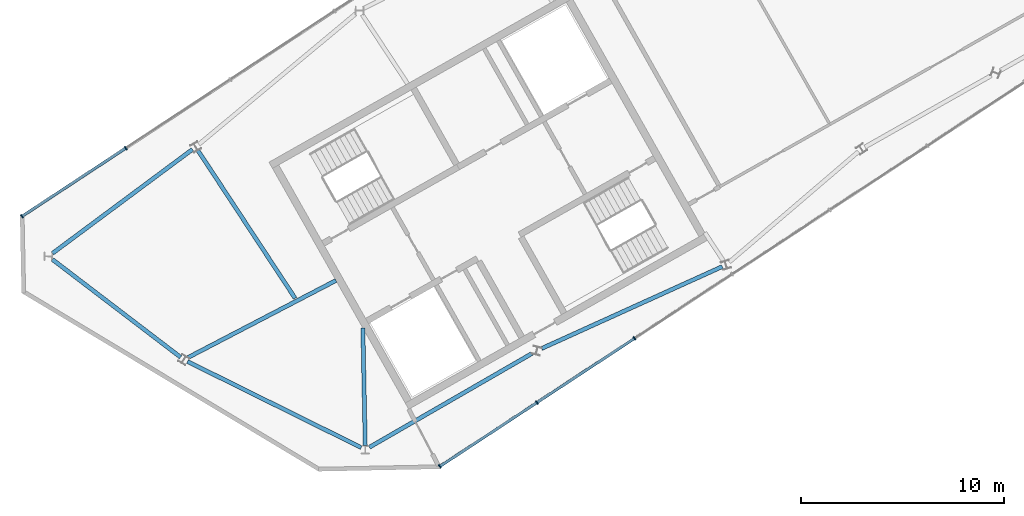
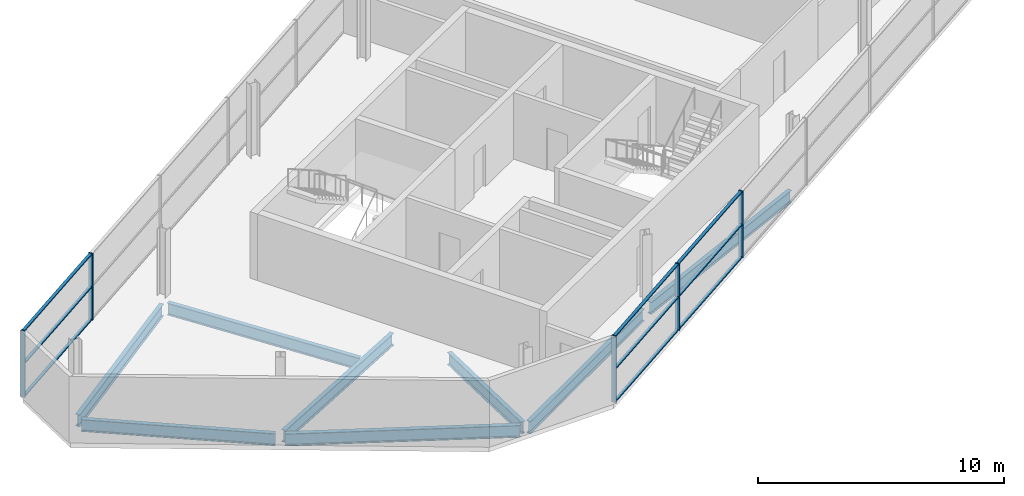
# One storey, part 3 of 8: 14 members, 8 beams, 2 elements without a shape of their own.
"""IFC4 building model written with IfcOpenShell, lengths in metres."""

from ifc_helpers import new_model, si_unit, direction, frame, origin, origin_2d, place, context, subcontext, project, spatial, rectangle, i_section, extrude, material, material_profile, profile_set, type_object, element, aggregate, save


model = new_model("IFC4")

# Units and contexts
model_context = context("Model", 3, precision=1e-05, world=origin(), true_north=direction((0.0, 1.0)))
body_context = subcontext(model_context, "Body", "Model", "MODEL_VIEW")
ifc_project = project(units=[si_unit("LENGTHUNIT", "METRE"), si_unit("AREAUNIT", "SQUARE_METRE"), si_unit("VOLUMEUNIT", "CUBIC_METRE"), si_unit("PLANEANGLEUNIT", "RADIAN"), si_unit("MASSUNIT", "GRAM", prefix="KILO")], contexts=[model_context])

# Site, building, storey
site_placement = place(None, origin())
site = spatial("IfcSite", under=ifc_project, at=site_placement, CompositionType="ELEMENT")
building_placement = place(site_placement, origin())
building = spatial("IfcBuilding", under=site, at=building_placement, Name="Binnacle Exchange Tower", CompositionType="ELEMENT")
storey_placement = place(building_placement, frame((0.0, 0.0, 357.699951171875)))
storey = spatial("IfcBuildingStorey", under=building, at=storey_placement, Name="L82", CompositionType="ELEMENT", Elevation=357.699951171875)

# Curtain wall, members
ifc_material_1 = material(Name="Bronze anodised aluminium frame", Category="aluminium")
curtain_wall_type = type_object("IfcCurtainWallType", Name="External wall - curtain wall crown tiers", PredefinedType="NOTDEFINED", material=ifc_material_1)
curtain_wall_1_placement = place(storey_placement, origin())
curtain_wall_1 = element("IfcCurtainWall", 1, at=curtain_wall_1_placement, inside=storey, type_object=curtain_wall_type, Name="External wall curtain wall CW5-C203 L82", PredefinedType="NOTDEFINED")
ifc_material_profile_1 = material_profile(ifc_material_1, rectangle(XDim=0.199951171875, YDim=0.06005859375, at=origin_2d()), Name="AL 60x200")
ifc_profile_set_1 = profile_set([ifc_material_profile_1], Name="Bronze anodised aluminium frame")
member_type_1 = type_object("IfcMemberType", Name="CW5 MULLION 60x200", PredefinedType="MULLION", material=ifc_profile_set_1)
member_1_placement = place(storey_placement, frame((-53.673095703125, 42.369873046875, 0.0), z_axis=(0.0, 0.0, 1.0), x_axis=(0.549310297171, -0.835618452059, 0.0)))
member_1 = element("IfcMember", 2, at=member_1_placement, type_object=member_type_1, Name="CW5-C203 mullion 9", PredefinedType="MULLION", context=body_context, shape_type="SweptSolid", body=[
    extrude(rectangle(XDim=0.199951171875, YDim=0.06005859375, at=origin_2d()), origin(), (0.0, 0.0, 1.0), 3.300048828125),
])
member_2_placement = place(storey_placement, frame((-58.79931640625, 39.000244140625, 0.0), z_axis=(0.0, 0.0, 1.0), x_axis=(0.549310297171, -0.835618452059, 0.0)))
member_2 = element("IfcMember", 3, at=member_2_placement, type_object=member_type_1, Name="CW5-C203 mullion 10", PredefinedType="MULLION", context=body_context, shape_type="SweptSolid", body=[
    extrude(rectangle(XDim=0.199951171875, YDim=0.06005859375, at=origin_2d()), origin(), (0.0, 0.0, 1.0), 3.300048828125),
])

curtain_wall_2_placement = place(storey_placement, origin())
curtain_wall_2 = element("IfcCurtainWall", 4, at=curtain_wall_2_placement, inside=storey, type_object=curtain_wall_type, Name="External wall curtain wall CW5-C207 L82", PredefinedType="NOTDEFINED")
member_3_placement = place(storey_placement, frame((-38.185302734375, 26.6669921875, 0.0), z_axis=(0.0, 0.0, 1.0), x_axis=(-0.549310297171, 0.835618452059, 0.0)))
member_3 = element("IfcMember", 5, at=member_3_placement, type_object=member_type_1, Name="CW5-C207 mullion 1", PredefinedType="MULLION", context=body_context, shape_type="SweptSolid", body=[
    extrude(rectangle(XDim=0.199951171875, YDim=0.06005859375, at=origin_2d()), origin(), (0.0, 0.0, 1.0), 3.300048828125),
])
member_4_placement = place(storey_placement, frame((-33.394287109375, 29.816162109375, 0.0), z_axis=(0.0, 0.0, 1.0), x_axis=(-0.549310297171, 0.835618452059, 0.0)))
member_4 = element("IfcMember", 6, at=member_4_placement, type_object=member_type_1, Name="CW5-C207 mullion 2", PredefinedType="MULLION", context=body_context, shape_type="SweptSolid", body=[
    extrude(rectangle(XDim=0.199951171875, YDim=0.06005859375, at=origin_2d()), origin(), (0.0, 0.0, 1.0), 3.300048828125),
])
member_5_placement = place(storey_placement, frame((-28.578369140625, 32.98193359375, 0.0), z_axis=(0.0, 0.0, 1.0), x_axis=(-0.549310297171, 0.835618452059, 0.0)))
member_5 = element("IfcMember", 7, at=member_5_placement, type_object=member_type_1, Name="CW5-C207 mullion 3", PredefinedType="MULLION", context=body_context, shape_type="SweptSolid", body=[
    extrude(rectangle(XDim=0.199951171875, YDim=0.06005859375, at=origin_2d()), origin(), (0.0, 0.0, 1.0), 3.300048828125),
])

# Member
ifc_material_profile_2 = material_profile(ifc_material_1, rectangle(XDim=0.139892578125, YDim=0.050048828125, at=origin_2d()), Name="AL 140x50")
ifc_profile_set_2 = profile_set([ifc_material_profile_2], Name="Bronze anodised aluminium frame")
member_type_2 = type_object("IfcMemberType", Name="CW5 TRANSOM 50x140", PredefinedType="USERDEFINED", material=ifc_profile_set_2)
member_6_placement = place(storey_placement, frame((-53.6982421875, 42.353515625, 0.025146484375), z_axis=(-0.835606914005, -0.549327848618, 0.0), x_axis=(0.549327848618, -0.835606914005, 0.0)))
member_6 = element("IfcMember", 8, at=member_6_placement, type_object=member_type_2, Name="CW5-C203 transom 9.1", ObjectType="TRANSOM", PredefinedType="USERDEFINED", context=body_context, shape_type="SweptSolid", body=[
    extrude(rectangle(XDim=0.139892578125, YDim=0.050048828125, at=origin_2d()), origin(), (0.0, 0.0, 1.0), 6.074462890625),
])

member_7_placement = place(storey_placement, frame((-53.6982421875, 42.353515625, 1.650146484375), z_axis=(-0.835606914005, -0.549327848618, 0.0), x_axis=(0.549327848618, -0.835606914005, 0.0)))
member_7 = element("IfcMember", 9, at=member_7_placement, type_object=member_type_2, Name="CW5-C203 transom 9.2", ObjectType="TRANSOM", PredefinedType="USERDEFINED", context=body_context, shape_type="SweptSolid", body=[
    extrude(rectangle(XDim=0.139892578125, YDim=0.050048828125, at=origin_2d()), origin(), (0.0, 0.0, 1.0), 6.074462890625),
])

member_8_placement = place(storey_placement, frame((-53.6982421875, 42.353515625, 3.275146484375), z_axis=(-0.835606914005, -0.549327848618, 0.0), x_axis=(0.549327848618, -0.835606914005, 0.0)))
member_8 = element("IfcMember", 10, at=member_8_placement, type_object=member_type_2, Name="CW5-C203 transom 9.3", ObjectType="TRANSOM", PredefinedType="USERDEFINED", context=body_context, shape_type="SweptSolid", body=[
    extrude(rectangle(XDim=0.139892578125, YDim=0.050048828125, at=origin_2d()), origin(), (0.0, 0.0, 1.0), 6.074462890625),
])

aggregate(curtain_wall_1, [member_1, member_2, member_6, member_7, member_8])

member_9_placement = place(storey_placement, frame((-38.16015625, 26.683349609375, 0.025146484375), z_axis=(0.835614618115, 0.549316129377, 0.0), x_axis=(-0.549316129377, 0.835614618115, 0.0)))
member_9 = element("IfcMember", 11, at=member_9_placement, type_object=member_type_2, Name="CW5-C207 transom 1.1", ObjectType="TRANSOM", PredefinedType="USERDEFINED", context=body_context, shape_type="SweptSolid", body=[
    extrude(rectangle(XDim=0.139892578125, YDim=0.050048828125, at=origin_2d()), origin(), (0.0, 0.0, 1.0), 5.67333984375),
])

member_10_placement = place(storey_placement, frame((-38.16015625, 26.683349609375, 1.650146484375), z_axis=(0.835614618115, 0.549316129377, 0.0), x_axis=(-0.549316129377, 0.835614618115, 0.0)))
member_10 = element("IfcMember", 12, at=member_10_placement, type_object=member_type_2, Name="CW5-C207 transom 1.2", ObjectType="TRANSOM", PredefinedType="USERDEFINED", context=body_context, shape_type="SweptSolid", body=[
    extrude(rectangle(XDim=0.139892578125, YDim=0.050048828125, at=origin_2d()), origin(), (0.0, 0.0, 1.0), 5.67333984375),
])

member_11_placement = place(storey_placement, frame((-38.16015625, 26.683349609375, 3.275146484375), z_axis=(0.835614618115, 0.549316129377, 0.0), x_axis=(-0.549316129377, 0.835614618115, 0.0)))
member_11 = element("IfcMember", 13, at=member_11_placement, type_object=member_type_2, Name="CW5-C207 transom 1.3", ObjectType="TRANSOM", PredefinedType="USERDEFINED", context=body_context, shape_type="SweptSolid", body=[
    extrude(rectangle(XDim=0.139892578125, YDim=0.050048828125, at=origin_2d()), origin(), (0.0, 0.0, 1.0), 5.67333984375),
])

member_12_placement = place(storey_placement, frame((-33.369384765625, 29.832763671875, 0.025146484375), z_axis=(0.835628570854, 0.549294904011, 0.0), x_axis=(-0.549294904011, 0.835628570854, 0.0)))
member_12 = element("IfcMember", 14, at=member_12_placement, type_object=member_type_2, Name="CW5-C207 transom 2.1", ObjectType="TRANSOM", PredefinedType="USERDEFINED", context=body_context, shape_type="SweptSolid", body=[
    extrude(rectangle(XDim=0.139892578125, YDim=0.050048828125, at=origin_2d()), origin(), (0.0, 0.0, 1.0), 5.703369140625),
])

member_13_placement = place(storey_placement, frame((-33.369384765625, 29.832763671875, 1.650146484375), z_axis=(0.835628570854, 0.549294904011, 0.0), x_axis=(-0.549294904011, 0.835628570854, 0.0)))
member_13 = element("IfcMember", 15, at=member_13_placement, type_object=member_type_2, Name="CW5-C207 transom 2.2", ObjectType="TRANSOM", PredefinedType="USERDEFINED", context=body_context, shape_type="SweptSolid", body=[
    extrude(rectangle(XDim=0.139892578125, YDim=0.050048828125, at=origin_2d()), origin(), (0.0, 0.0, 1.0), 5.703369140625),
])

member_14_placement = place(storey_placement, frame((-33.369384765625, 29.832763671875, 3.275146484375), z_axis=(0.835628570854, 0.549294904011, 0.0), x_axis=(-0.549294904011, 0.835628570854, 0.0)))
member_14 = element("IfcMember", 16, at=member_14_placement, type_object=member_type_2, Name="CW5-C207 transom 2.3", ObjectType="TRANSOM", PredefinedType="USERDEFINED", context=body_context, shape_type="SweptSolid", body=[
    extrude(rectangle(XDim=0.139892578125, YDim=0.050048828125, at=origin_2d()), origin(), (0.0, 0.0, 1.0), 5.703369140625),
])

aggregate(curtain_wall_2, [member_3, member_4, member_5, member_9, member_10, member_11, member_12, member_13, member_14])

# Beams
ifc_material_2 = material(Name="Steel S355 (SHN355)", Category="steel")
ifc_material_profile_3 = material_profile(ifc_material_2, i_section(OverallWidth=0.199951171875, OverallDepth=0.60009765625, WebThickness=0.010986328125, FlangeThickness=0.01708984375, FilletRadius=0.02197265625, at=origin_2d()), Name="H 600x200x11x17")
ifc_profile_set_3 = profile_set([ifc_material_profile_3], Name="Steel S355 (SHN355)")
beam_type_1 = type_object("IfcBeamType", Name="Edge girder H 600x200x11x17 Steel S355 (SHN355)", PredefinedType="SPANDREL", material=ifc_profile_set_3)
beam_1_placement = place(storey_placement, frame((-57.294921875, 36.876220703125, -0.599853515625), z_axis=(0.795084866739, -0.606498190173, 0.0), x_axis=(0.606498190173, 0.795084866739, 0.0)))
element("IfcBeam", 17, at=beam_1_placement, inside=storey, type_object=beam_type_1, Name="S:BM:edge:L82:004", PredefinedType="SPANDREL", context=body_context, shape_type="SweptSolid", body=[
    extrude(i_section(OverallWidth=0.199951171875, OverallDepth=0.60009765625, WebThickness=0.010986328125, FlangeThickness=0.01708984375, FilletRadius=0.02197265625, at=origin_2d()), origin(), (0.0, 0.0, 1.0), 7.95263671875),
])
beam_2_placement = place(storey_placement, frame((-50.632080078125, 31.841796875, -0.599853515625), z_axis=(0.8960639995, -0.443924890944, 0.0), x_axis=(0.443924890944, 0.8960639995, 0.0)))
element("IfcBeam", 18, at=beam_2_placement, inside=storey, type_object=beam_type_1, Name="S:BM:edge:L82:005", PredefinedType="SPANDREL", context=body_context, shape_type="SweptSolid", body=[
    extrude(i_section(OverallWidth=0.199951171875, OverallDepth=0.60009765625, WebThickness=0.010986328125, FlangeThickness=0.01708984375, FilletRadius=0.02197265625, at=origin_2d()), origin(), (0.0, 0.0, 1.0), 9.5703125),
])
beam_3_placement = place(storey_placement, frame((-50.387939453125, 42.302734375, -0.599853515625), z_axis=(-0.802897228566, -0.596117471947, 0.0), x_axis=(0.596117471947, -0.802897228566, 0.0)))
element("IfcBeam", 19, at=beam_3_placement, inside=storey, type_object=beam_type_1, Name="S:BM:edge:L82:006", PredefinedType="SPANDREL", context=body_context, shape_type="SweptSolid", body=[
    extrude(i_section(OverallWidth=0.199951171875, OverallDepth=0.60009765625, WebThickness=0.010986328125, FlangeThickness=0.01708984375, FilletRadius=0.02197265625, at=origin_2d()), origin(), (0.0, 0.0, 1.0), 8.59765625),
])
beam_4_placement = place(storey_placement, frame((-41.65625, 27.611083984375, -0.599853515625), z_axis=(0.866222915355, 0.499657743774, 0.0), x_axis=(-0.499657743774, 0.866222915355, 0.0)))
element("IfcBeam", 20, at=beam_4_placement, inside=storey, type_object=beam_type_1, Name="S:BM:edge:L82:008", PredefinedType="SPANDREL", context=body_context, shape_type="SweptSolid", body=[
    extrude(i_section(OverallWidth=0.199951171875, OverallDepth=0.60009765625, WebThickness=0.010986328125, FlangeThickness=0.01708984375, FilletRadius=0.02197265625, at=origin_2d()), origin(), (0.0, 0.0, 1.0), 9.25439453125),
])
beam_5_placement = place(storey_placement, frame((-33.16796875, 32.478759765625, -0.599853515625), z_axis=(0.910706771404, 0.413053479005, 0.0), x_axis=(-0.413053479005, 0.910706771404, 0.0)))
element("IfcBeam", 21, at=beam_5_placement, inside=storey, type_object=beam_type_1, Name="S:BM:edge:L82:010", PredefinedType="SPANDREL", context=body_context, shape_type="SweptSolid", body=[
    extrude(i_section(OverallWidth=0.199951171875, OverallDepth=0.60009765625, WebThickness=0.010986328125, FlangeThickness=0.01708984375, FilletRadius=0.02197265625, at=origin_2d()), origin(), (0.0, 0.0, 1.0), 9.79443359375),
])
ifc_material_profile_4 = material_profile(ifc_material_2, i_section(OverallWidth=0.199951171875, OverallDepth=0.60009765625, WebThickness=0.010986328125, FlangeThickness=0.01708984375, FilletRadius=0.02197265625, at=origin_2d()), Name="H 600x200x11x17")
ifc_profile_set_4 = profile_set([ifc_material_profile_4], Name="Steel S355 (SHN355)")
beam_type_2 = type_object("IfcBeamType", Name="Floor beam H 600x200x11x17 Steel S355 (SHN355)", PredefinedType="BEAM", material=ifc_profile_set_4)
beam_6_placement = place(storey_placement, frame((-50.1162109375, 42.25537109375, -0.599853515625), z_axis=(0.54931400902, -0.83561601199, 0.0), x_axis=(0.83561601199, 0.54931400902, 0.0)))
element("IfcBeam", 22, at=beam_6_placement, inside=storey, type_object=beam_type_2, Name="S:BM:cross:L82:017", PredefinedType="BEAM", context=body_context, shape_type="SweptSolid", body=[
    extrude(i_section(OverallWidth=0.199951171875, OverallDepth=0.60009765625, WebThickness=0.010986328125, FlangeThickness=0.01708984375, FilletRadius=0.02197265625, at=origin_2d()), origin(), (0.0, 0.0, 1.0), 8.73193359375),
])
beam_7_placement = place(storey_placement, frame((-41.86181640625, 27.69482421875, -0.599853515625), z_axis=(-0.020216610467, 0.999795623446, 0.0), x_axis=(-0.999795623446, -0.020216610467, 0.0)))
element("IfcBeam", 23, at=beam_7_placement, inside=storey, type_object=beam_type_2, Name="S:BM:cross:L82:019", PredefinedType="BEAM", context=body_context, shape_type="SweptSolid", body=[
    extrude(i_section(OverallWidth=0.199951171875, OverallDepth=0.60009765625, WebThickness=0.010986328125, FlangeThickness=0.01708984375, FilletRadius=0.02197265625, at=origin_2d()), origin(), (0.0, 0.0, 1.0), 5.796630859375),
])
ifc_material_profile_5 = material_profile(ifc_material_2, i_section(OverallWidth=0.199951171875, OverallDepth=0.60009765625, WebThickness=0.010986328125, FlangeThickness=0.01708984375, FilletRadius=0.02197265625, at=origin_2d()), Name="H 600x200x11x17")
ifc_profile_set_5 = profile_set([ifc_material_profile_5], Name="Steel S355 (SHN355)")
beam_type_3 = type_object("IfcBeamType", Name="Spine girder H 600x200x11x17 Steel S355 (SHN355)", PredefinedType="BEAM", material=ifc_profile_set_5)
beam_8_placement = place(storey_placement, frame((-50.60400390625, 32.039306640625, -0.599853515625), z_axis=(0.886982470593, 0.461803093168, 0.0), x_axis=(-0.461803093168, 0.886982470593, 0.0)))
element("IfcBeam", 24, at=beam_8_placement, inside=storey, type_object=beam_type_3, Name="S:BM:spine:L82:001", PredefinedType="BEAM", context=body_context, shape_type="SweptSolid", body=[
    extrude(i_section(OverallWidth=0.199951171875, OverallDepth=0.60009765625, WebThickness=0.010986328125, FlangeThickness=0.01708984375, FilletRadius=0.02197265625, at=origin_2d()), origin(), (0.0, 0.0, 1.0), 8.22607421875),
])

save(model, "model.ifc")
